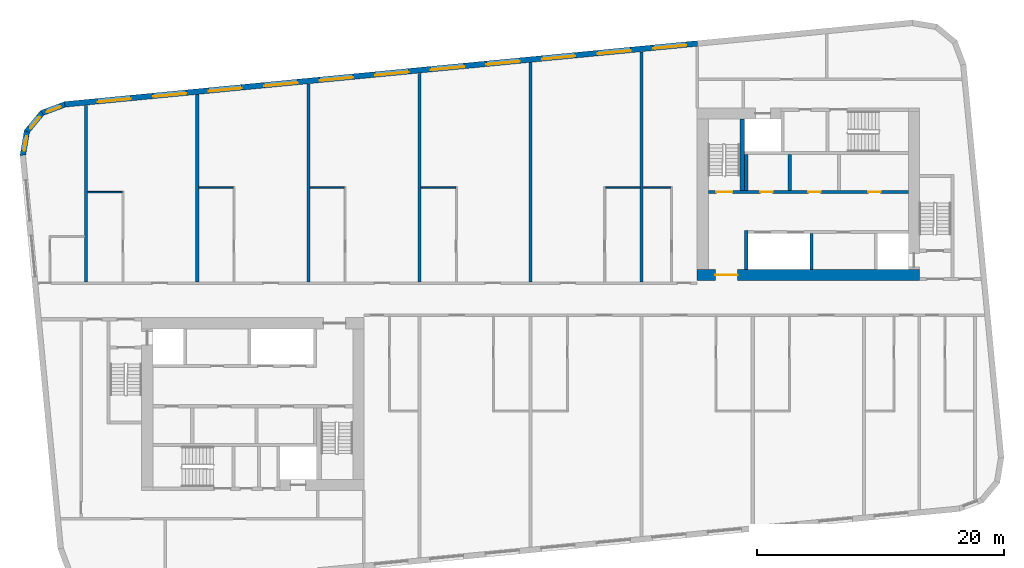
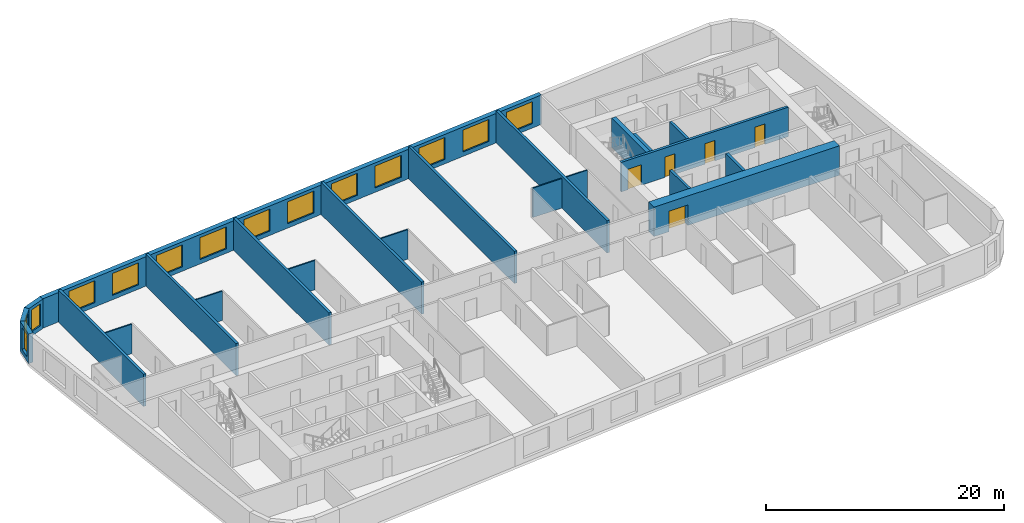
# One storey, part 5 of 11: 23 walls, 14 windows, 5 doors, 19 openings.
"""IFC4 building model written with IfcOpenShell, lengths in metres."""

from ifc_helpers import new_model, si_unit, direction, frame, frame_2d, origin, place, context, subcontext, project, spatial, polyline, rectangle, outline, extrude, material, layer, layer_set, type_object, element, fill, save


model = new_model("IFC4")

# Units and contexts
model_context = context("Model", 3, precision=1e-05, world=origin(), true_north=direction((0.0, 1.0)))
body_context = subcontext(model_context, "Body", "Model", "MODEL_VIEW")
ifc_project = project(units=[si_unit("LENGTHUNIT", "METRE"), si_unit("AREAUNIT", "SQUARE_METRE"), si_unit("VOLUMEUNIT", "CUBIC_METRE"), si_unit("PLANEANGLEUNIT", "RADIAN"), si_unit("MASSUNIT", "GRAM", prefix="KILO")], contexts=[model_context])

# Site, building, storey
site_placement = place(None, origin())
site = spatial("IfcSite", under=ifc_project, at=site_placement, CompositionType="ELEMENT")
building_placement = place(site_placement, origin())
building = spatial("IfcBuilding", under=site, at=building_placement, Name="Kajstack Hotel Tower", CompositionType="ELEMENT")
storey_placement = place(building_placement, frame((0.0, 0.0, 275.10009765625)))
storey = spatial("IfcBuildingStorey", under=building, at=storey_placement, Name="L68", CompositionType="ELEMENT", Elevation=275.10009765625)

# Wall, opening, door
ifc_material_1 = material(Name="Concrete C60/75", Category="concrete")
ifc_layer_1 = layer(ifc_material_1, 0.89990234375)
ifc_layer_set_1 = layer_set([ifc_layer_1], Name="Core wall 900")
wall_type_1 = type_object("IfcWallType", Name="Core wall 900", PredefinedType="SHEAR", material=ifc_layer_set_1)
wall_1_placement = place(storey_placement, frame((13.5, 1.949951171875, 0.0), z_axis=(0.0, 0.0, 1.0), x_axis=(1.0, 0.0, 0.0)))
wall_1 = element("IfcWall", 1, at=wall_1_placement, inside=storey, type_object=wall_type_1, Name="Core wall E RN", PredefinedType="SHEAR", context=body_context, shape_type="SweptSolid", body=[
    extrude(rectangle(XDim=18.0, YDim=0.89990234375, at=frame_2d((9.0, 0.0))), origin(), (0.0, 0.0, 1.0), 3.02001953125),
])
opening_1_placement = place(wall_1_placement, frame((1.47509765625, 0.0, 0.0)))
opening_1 = element("IfcOpeningElement", 2, at=opening_1_placement, cuts=wall_1, Name="Opening 68E05", PredefinedType="OPENING", context=body_context, shape_type="SweptSolid", body=[
    extrude(rectangle(XDim=1.800048828125, YDim=2.10009765625, at=frame_2d((0.89990234375, 1.050048828125))), frame((0.0, 0.4599609375, 0.0), z_axis=(0.0, -1.0, 0.0), x_axis=(1.0, 0.0, 0.0)), (0.0, 0.0, 1.0), 0.919921875),
])
ifc_material_2 = material(Name="Glazed steel frame, fire-rated glass", Category="steel")
door_type_1 = type_object("IfcDoorType", Name="Lobby double door 1800", OperationType="DOUBLE_DOOR_DOUBLE_SWING", PredefinedType="DOOR", material=ifc_material_2)
door_1_placement = place(opening_1_placement, origin())
door_1 = element("IfcDoor", 3, at=door_1_placement, inside=storey, type_object=door_type_1, Name="Door 68E05", OperationType="DOUBLE_DOOR_DOUBLE_SWING", OverallHeight=2.10009765625, OverallWidth=1.800048828125, PredefinedType="DOOR", context=body_context, shape_type="SweptSolid", body=[
    extrude(rectangle(XDim=1.800048828125, YDim=2.10009765625, at=frame_2d((0.89990234375, 1.050048828125))), frame((0.0, 0.02490234375, 0.0), z_axis=(0.0, -1.0, 0.0), x_axis=(1.0, 0.0, 0.0)), (0.0, 0.0, 1.0), 0.050048828125),
])
fill(opening_1, door_1)

# Wall, openings, windows
ifc_material_3 = material(Name="Terracotta-faced brick masonry", Category="masonry")
ifc_layer_2 = layer(ifc_material_3, 0.449951171875)
ifc_layer_set_2 = layer_set([ifc_layer_2], Name="EW-TERRA")
wall_type_2 = type_object("IfcWallType", Name="EW-TERRA", PredefinedType="SOLIDWALL", material=ifc_layer_set_2)
wall_2_placement = place(storey_placement, frame((13.521484375, 20.712890625, 0.0), z_axis=(0.0, 0.0, 1.0), x_axis=(-0.995396277313, -0.095844932638, 0.0)))
wall_2 = element("IfcWall", 4, at=wall_2_placement, inside=storey, type_object=wall_type_2, Name="E-wall-L68-12-01", PredefinedType="SOLIDWALL", context=body_context, shape_type="SweptSolid", body=[
    extrude(rectangle(XDim=51.4951171875, YDim=0.449951171875, at=frame_2d((25.74755859375, 0.0))), origin(), (0.0, 0.0, 1.0), 3.02001953125),
])
opening_2_placement = place(wall_2_placement, frame((0.910400390625, 0.0, 0.449951171875)))
opening_2 = element("IfcOpeningElement", 5, at=opening_2_placement, cuts=wall_2, Name="Opening W1", PredefinedType="OPENING", context=body_context, shape_type="SweptSolid", body=[
    extrude(rectangle(XDim=2.699951171875, YDim=2.25, at=frame_2d((1.35009765625, 1.125))), frame((0.0, 0.23486328125, 0.0), z_axis=(0.0, -1.0, 0.0), x_axis=(1.0, 0.0, 0.0)), (0.0, 0.0, 1.0), 0.469970703125),
])
opening_3_placement = place(wall_2_placement, frame((5.43115234375, 0.0, 0.449951171875)))
opening_3 = element("IfcOpeningElement", 6, at=opening_3_placement, cuts=wall_2, Name="Opening W1", PredefinedType="OPENING", context=body_context, shape_type="SweptSolid", body=[
    extrude(rectangle(XDim=2.699951171875, YDim=2.25, at=frame_2d((1.35009765625, 1.125))), frame((0.0, 0.23486328125, 0.0), z_axis=(0.0, -1.0, 0.0), x_axis=(1.0, 0.0, 0.0)), (0.0, 0.0, 1.0), 0.469970703125),
])
opening_4_placement = place(wall_2_placement, frame((9.951904296875, 0.0, 0.449951171875)))
opening_4 = element("IfcOpeningElement", 7, at=opening_4_placement, cuts=wall_2, Name="Opening W1", PredefinedType="OPENING", context=body_context, shape_type="SweptSolid", body=[
    extrude(rectangle(XDim=2.699951171875, YDim=2.25, at=frame_2d((1.35009765625, 1.125))), frame((0.0, 0.23486328125, 0.0), z_axis=(0.0, -1.0, 0.0), x_axis=(1.0, 0.0, 0.0)), (0.0, 0.0, 1.0), 0.469970703125),
])
opening_5_placement = place(wall_2_placement, frame((14.472900390625, 0.0, 0.449951171875)))
opening_5 = element("IfcOpeningElement", 8, at=opening_5_placement, cuts=wall_2, Name="Opening W1", PredefinedType="OPENING", context=body_context, shape_type="SweptSolid", body=[
    extrude(rectangle(XDim=2.699951171875, YDim=2.25, at=frame_2d((1.35009765625, 1.125))), frame((0.0, 0.23486328125, 0.0), z_axis=(0.0, -1.0, 0.0), x_axis=(1.0, 0.0, 0.0)), (0.0, 0.0, 1.0), 0.469970703125),
])
opening_6_placement = place(wall_2_placement, frame((18.99365234375, 0.0, 0.449951171875)))
opening_6 = element("IfcOpeningElement", 9, at=opening_6_placement, cuts=wall_2, Name="Opening W1", PredefinedType="OPENING", context=body_context, shape_type="SweptSolid", body=[
    extrude(rectangle(XDim=2.699951171875, YDim=2.25, at=frame_2d((1.35009765625, 1.125))), frame((0.0, 0.23486328125, 0.0), z_axis=(0.0, -1.0, 0.0), x_axis=(1.0, 0.0, 0.0)), (0.0, 0.0, 1.0), 0.469970703125),
])
opening_7_placement = place(wall_2_placement, frame((23.514404296875, 0.0, 0.449951171875)))
opening_7 = element("IfcOpeningElement", 10, at=opening_7_placement, cuts=wall_2, Name="Opening W1", PredefinedType="OPENING", context=body_context, shape_type="SweptSolid", body=[
    extrude(rectangle(XDim=2.699951171875, YDim=2.25, at=frame_2d((1.35009765625, 1.125))), frame((0.0, 0.23486328125, 0.0), z_axis=(0.0, -1.0, 0.0), x_axis=(1.0, 0.0, 0.0)), (0.0, 0.0, 1.0), 0.469970703125),
])
opening_8_placement = place(wall_2_placement, frame((28.035400390625, 0.0, 0.449951171875)))
opening_8 = element("IfcOpeningElement", 11, at=opening_8_placement, cuts=wall_2, Name="Opening W1", PredefinedType="OPENING", context=body_context, shape_type="SweptSolid", body=[
    extrude(rectangle(XDim=2.699951171875, YDim=2.25, at=frame_2d((1.35009765625, 1.125))), frame((0.0, 0.23486328125, 0.0), z_axis=(0.0, -1.0, 0.0), x_axis=(1.0, 0.0, 0.0)), (0.0, 0.0, 1.0), 0.469970703125),
])
opening_9_placement = place(wall_2_placement, frame((32.55615234375, 0.0, 0.449951171875)))
opening_9 = element("IfcOpeningElement", 12, at=opening_9_placement, cuts=wall_2, Name="Opening W1", PredefinedType="OPENING", context=body_context, shape_type="SweptSolid", body=[
    extrude(rectangle(XDim=2.699951171875, YDim=2.25, at=frame_2d((1.35009765625, 1.125))), frame((0.0, 0.23486328125, 0.0), z_axis=(0.0, -1.0, 0.0), x_axis=(1.0, 0.0, 0.0)), (0.0, 0.0, 1.0), 0.469970703125),
])
opening_10_placement = place(wall_2_placement, frame((37.076904296875, 0.0, 0.449951171875)))
opening_10 = element("IfcOpeningElement", 13, at=opening_10_placement, cuts=wall_2, Name="Opening W1", PredefinedType="OPENING", context=body_context, shape_type="SweptSolid", body=[
    extrude(rectangle(XDim=2.699951171875, YDim=2.25, at=frame_2d((1.35009765625, 1.125))), frame((0.0, 0.23486328125, 0.0), z_axis=(0.0, -1.0, 0.0), x_axis=(1.0, 0.0, 0.0)), (0.0, 0.0, 1.0), 0.469970703125),
])
opening_11_placement = place(wall_2_placement, frame((41.59765625, 0.0, 0.449951171875)))
opening_11 = element("IfcOpeningElement", 14, at=opening_11_placement, cuts=wall_2, Name="Opening W1", PredefinedType="OPENING", context=body_context, shape_type="SweptSolid", body=[
    extrude(rectangle(XDim=2.699951171875, YDim=2.25, at=frame_2d((1.35009765625, 1.125))), frame((0.0, 0.23486328125, 0.0), z_axis=(0.0, -1.0, 0.0), x_axis=(1.0, 0.0, 0.0)), (0.0, 0.0, 1.0), 0.469970703125),
])
opening_12_placement = place(wall_2_placement, frame((46.118408203125, 0.0, 0.449951171875)))
opening_12 = element("IfcOpeningElement", 15, at=opening_12_placement, cuts=wall_2, Name="Opening W1", PredefinedType="OPENING", context=body_context, shape_type="SweptSolid", body=[
    extrude(rectangle(XDim=2.699951171875, YDim=2.25, at=frame_2d((1.35009765625, 1.125))), frame((0.0, 0.23486328125, 0.0), z_axis=(0.0, -1.0, 0.0), x_axis=(1.0, 0.0, 0.0)), (0.0, 0.0, 1.0), 0.469970703125),
])
ifc_material_4 = material(Name="Timber-aluminium window, triple glazed", Category="wood")
window_type_1 = type_object("IfcWindowType", Name="WG1", PartitioningType="SINGLE_PANEL", PredefinedType="WINDOW", material=ifc_material_4)
window_1_placement = place(opening_2_placement, origin())
window_1 = element("IfcWindow", 16, at=window_1_placement, inside=storey, type_object=window_type_1, Name="Window W1 L68-12", OverallHeight=2.25, OverallWidth=2.699951171875, PartitioningType="SINGLE_PANEL", PredefinedType="WINDOW", context=body_context, shape_type="SweptSolid", body=[
    extrude(rectangle(XDim=2.699951171875, YDim=2.25, at=frame_2d((1.35009765625, 1.125))), frame((0.0, 0.090087890625, 0.0), z_axis=(0.0, -1.0, 0.0), x_axis=(1.0, 0.0, 0.0)), (0.0, 0.0, 1.0), 0.06005859375),
])
fill(opening_2, window_1)
window_2_placement = place(opening_3_placement, origin())
window_2 = element("IfcWindow", 17, at=window_2_placement, inside=storey, type_object=window_type_1, Name="Window W1 L68-12", OverallHeight=2.25, OverallWidth=2.699951171875, PartitioningType="SINGLE_PANEL", PredefinedType="WINDOW", context=body_context, shape_type="SweptSolid", body=[
    extrude(rectangle(XDim=2.699951171875, YDim=2.25, at=frame_2d((1.35009765625, 1.125))), frame((0.0, 0.090087890625, 0.0), z_axis=(0.0, -1.0, 0.0), x_axis=(1.0, 0.0, 0.0)), (0.0, 0.0, 1.0), 0.06005859375),
])
fill(opening_3, window_2)
window_3_placement = place(opening_4_placement, origin())
window_3 = element("IfcWindow", 18, at=window_3_placement, inside=storey, type_object=window_type_1, Name="Window W1 L68-12", OverallHeight=2.25, OverallWidth=2.699951171875, PartitioningType="SINGLE_PANEL", PredefinedType="WINDOW", context=body_context, shape_type="SweptSolid", body=[
    extrude(rectangle(XDim=2.699951171875, YDim=2.25, at=frame_2d((1.35009765625, 1.125))), frame((0.0, 0.090087890625, 0.0), z_axis=(0.0, -1.0, 0.0), x_axis=(1.0, 0.0, 0.0)), (0.0, 0.0, 1.0), 0.06005859375),
])
fill(opening_4, window_3)
window_4_placement = place(opening_5_placement, origin())
window_4 = element("IfcWindow", 19, at=window_4_placement, inside=storey, type_object=window_type_1, Name="Window W1 L68-12", OverallHeight=2.25, OverallWidth=2.699951171875, PartitioningType="SINGLE_PANEL", PredefinedType="WINDOW", context=body_context, shape_type="SweptSolid", body=[
    extrude(rectangle(XDim=2.699951171875, YDim=2.25, at=frame_2d((1.35009765625, 1.125))), frame((0.0, 0.090087890625, 0.0), z_axis=(0.0, -1.0, 0.0), x_axis=(1.0, 0.0, 0.0)), (0.0, 0.0, 1.0), 0.06005859375),
])
fill(opening_5, window_4)
window_5_placement = place(opening_6_placement, origin())
window_5 = element("IfcWindow", 20, at=window_5_placement, inside=storey, type_object=window_type_1, Name="Window W1 L68-12", OverallHeight=2.25, OverallWidth=2.699951171875, PartitioningType="SINGLE_PANEL", PredefinedType="WINDOW", context=body_context, shape_type="SweptSolid", body=[
    extrude(rectangle(XDim=2.699951171875, YDim=2.25, at=frame_2d((1.35009765625, 1.125))), frame((0.0, 0.090087890625, 0.0), z_axis=(0.0, -1.0, 0.0), x_axis=(1.0, 0.0, 0.0)), (0.0, 0.0, 1.0), 0.06005859375),
])
fill(opening_6, window_5)
window_6_placement = place(opening_7_placement, origin())
window_6 = element("IfcWindow", 21, at=window_6_placement, inside=storey, type_object=window_type_1, Name="Window W1 L68-12", OverallHeight=2.25, OverallWidth=2.699951171875, PartitioningType="SINGLE_PANEL", PredefinedType="WINDOW", context=body_context, shape_type="SweptSolid", body=[
    extrude(rectangle(XDim=2.699951171875, YDim=2.25, at=frame_2d((1.35009765625, 1.125))), frame((0.0, 0.090087890625, 0.0), z_axis=(0.0, -1.0, 0.0), x_axis=(1.0, 0.0, 0.0)), (0.0, 0.0, 1.0), 0.06005859375),
])
fill(opening_7, window_6)
window_7_placement = place(opening_8_placement, origin())
window_7 = element("IfcWindow", 22, at=window_7_placement, inside=storey, type_object=window_type_1, Name="Window W1 L68-12", OverallHeight=2.25, OverallWidth=2.699951171875, PartitioningType="SINGLE_PANEL", PredefinedType="WINDOW", context=body_context, shape_type="SweptSolid", body=[
    extrude(rectangle(XDim=2.699951171875, YDim=2.25, at=frame_2d((1.35009765625, 1.125))), frame((0.0, 0.090087890625, 0.0), z_axis=(0.0, -1.0, 0.0), x_axis=(1.0, 0.0, 0.0)), (0.0, 0.0, 1.0), 0.06005859375),
])
fill(opening_8, window_7)
window_8_placement = place(opening_9_placement, origin())
window_8 = element("IfcWindow", 23, at=window_8_placement, inside=storey, type_object=window_type_1, Name="Window W1 L68-12", OverallHeight=2.25, OverallWidth=2.699951171875, PartitioningType="SINGLE_PANEL", PredefinedType="WINDOW", context=body_context, shape_type="SweptSolid", body=[
    extrude(rectangle(XDim=2.699951171875, YDim=2.25, at=frame_2d((1.35009765625, 1.125))), frame((0.0, 0.090087890625, 0.0), z_axis=(0.0, -1.0, 0.0), x_axis=(1.0, 0.0, 0.0)), (0.0, 0.0, 1.0), 0.06005859375),
])
fill(opening_9, window_8)
window_9_placement = place(opening_10_placement, origin())
window_9 = element("IfcWindow", 24, at=window_9_placement, inside=storey, type_object=window_type_1, Name="Window W1 L68-12", OverallHeight=2.25, OverallWidth=2.699951171875, PartitioningType="SINGLE_PANEL", PredefinedType="WINDOW", context=body_context, shape_type="SweptSolid", body=[
    extrude(rectangle(XDim=2.699951171875, YDim=2.25, at=frame_2d((1.35009765625, 1.125))), frame((0.0, 0.090087890625, 0.0), z_axis=(0.0, -1.0, 0.0), x_axis=(1.0, 0.0, 0.0)), (0.0, 0.0, 1.0), 0.06005859375),
])
fill(opening_10, window_9)
window_10_placement = place(opening_11_placement, origin())
window_10 = element("IfcWindow", 25, at=window_10_placement, inside=storey, type_object=window_type_1, Name="Window W1 L68-12", OverallHeight=2.25, OverallWidth=2.699951171875, PartitioningType="SINGLE_PANEL", PredefinedType="WINDOW", context=body_context, shape_type="SweptSolid", body=[
    extrude(rectangle(XDim=2.699951171875, YDim=2.25, at=frame_2d((1.35009765625, 1.125))), frame((0.0, 0.090087890625, 0.0), z_axis=(0.0, -1.0, 0.0), x_axis=(1.0, 0.0, 0.0)), (0.0, 0.0, 1.0), 0.06005859375),
])
fill(opening_11, window_10)
window_11_placement = place(opening_12_placement, origin())
window_11 = element("IfcWindow", 26, at=window_11_placement, inside=storey, type_object=window_type_1, Name="Window W1 L68-12", OverallHeight=2.25, OverallWidth=2.699951171875, PartitioningType="SINGLE_PANEL", PredefinedType="WINDOW", context=body_context, shape_type="SweptSolid", body=[
    extrude(rectangle(XDim=2.699951171875, YDim=2.25, at=frame_2d((1.35009765625, 1.125))), frame((0.0, 0.090087890625, 0.0), z_axis=(0.0, -1.0, 0.0), x_axis=(1.0, 0.0, 0.0)), (0.0, 0.0, 1.0), 0.06005859375),
])
fill(opening_12, window_11)

# Wall, opening, window
wall_3_placement = place(storey_placement, frame((-37.67919921875, 15.79052734375, 0.0), z_axis=(0.0, 0.0, 1.0), x_axis=(-0.936677599948, -0.350192909346, 0.0)))
wall_3 = element("IfcWall", 27, at=wall_3_placement, inside=storey, type_object=wall_type_2, Name="E-wall-L68-13-00", PredefinedType="SOLIDWALL", context=body_context, shape_type="SweptSolid", body=[
    extrude(outline(polyline([(0.000244140625, -0.224853515625), (2.070556640625, -0.224853515625), (1.949951171875, 0.22509765625), (0.12060546875, 0.22509765625), (0.000244140625, -0.224853515625)])), origin(), (0.0, 0.0, 1.0), 3.02001953125),
])
opening_13_placement = place(wall_3_placement, frame((0.435302734375, 0.0, 0.449951171875)))
opening_13 = element("IfcOpeningElement", 28, at=opening_13_placement, cuts=wall_3, Name="Opening W3", PredefinedType="OPENING", context=body_context, shape_type="SweptSolid", body=[
    extrude(rectangle(XDim=1.199951171875, YDim=2.25, at=frame_2d((0.60009765625, 1.125))), frame((0.0, 0.23486328125, 0.0), z_axis=(0.0, -1.0, 0.0), x_axis=(1.0, 0.0, 0.0)), (0.0, 0.0, 1.0), 0.469970703125),
])
window_type_2 = type_object("IfcWindowType", Name="WG3", PartitioningType="SINGLE_PANEL", PredefinedType="WINDOW", material=ifc_material_4)
window_12_placement = place(opening_13_placement, origin())
window_12 = element("IfcWindow", 29, at=window_12_placement, inside=storey, type_object=window_type_2, Name="Window W3 L68-13", OverallHeight=2.25, OverallWidth=1.199951171875, PartitioningType="SINGLE_PANEL", PredefinedType="WINDOW", context=body_context, shape_type="SweptSolid", body=[
    extrude(rectangle(XDim=1.199951171875, YDim=2.25, at=frame_2d((0.60009765625, 1.125))), frame((0.0, 0.090087890625, 0.0), z_axis=(0.0, -1.0, 0.0), x_axis=(1.0, 0.0, 0.0)), (0.0, 0.0, 1.0), 0.06005859375),
])
fill(opening_13, window_12)

wall_4_placement = place(storey_placement, frame((-39.52392578125, 15.133056640625, 0.0), z_axis=(0.0, 0.0, 1.0), x_axis=(-0.636046112757, -0.771651049663, 0.0)))
wall_4 = element("IfcWall", 30, at=wall_4_placement, inside=storey, type_object=wall_type_2, Name="E-wall-L68-14-00", PredefinedType="SOLIDWALL", context=body_context, shape_type="SweptSolid", body=[
    extrude(outline(polyline([(0.0, -0.224853515625), (2.070556640625, -0.224853515625), (1.949951171875, 0.22509765625), (0.12060546875, 0.22509765625), (0.0, -0.224853515625)])), origin(), (0.0, 0.0, 1.0), 3.02001953125),
])
opening_14_placement = place(wall_4_placement, frame((0.435302734375, 0.0, 0.449951171875)))
opening_14 = element("IfcOpeningElement", 31, at=opening_14_placement, cuts=wall_4, Name="Opening W3", PredefinedType="OPENING", context=body_context, shape_type="SweptSolid", body=[
    extrude(rectangle(XDim=1.199951171875, YDim=2.25, at=frame_2d((0.60009765625, 1.125))), frame((0.0, 0.23486328125, 0.0), z_axis=(0.0, -1.0, 0.0), x_axis=(1.0, 0.0, 0.0)), (0.0, 0.0, 1.0), 0.469970703125),
])
window_13_placement = place(opening_14_placement, origin())
window_13 = element("IfcWindow", 32, at=window_13_placement, inside=storey, type_object=window_type_2, Name="Window W3 L68-14", OverallHeight=2.25, OverallWidth=1.199951171875, PartitioningType="SINGLE_PANEL", PredefinedType="WINDOW", context=body_context, shape_type="SweptSolid", body=[
    extrude(rectangle(XDim=1.199951171875, YDim=2.25, at=frame_2d((0.60009765625, 1.125))), frame((0.0, 0.090087890625, 0.0), z_axis=(0.0, -1.0, 0.0), x_axis=(1.0, 0.0, 0.0)), (0.0, 0.0, 1.0), 0.06005859375),
])
fill(opening_14, window_13)

wall_5_placement = place(storey_placement, frame((-40.79248046875, 13.641357421875, 0.0), z_axis=(0.0, 0.0, 1.0), x_axis=(-0.165068144653, -0.986282164302, 0.0)))
wall_5 = element("IfcWall", 33, at=wall_5_placement, inside=storey, type_object=wall_type_2, Name="E-wall-L68-15-00", PredefinedType="SOLIDWALL", context=body_context, shape_type="SweptSolid", body=[
    extrude(outline(polyline([(0.0, -0.22509765625), (2.070556640625, -0.22509765625), (1.949951171875, 0.224853515625), (0.12060546875, 0.224853515625), (0.0, -0.22509765625)])), origin(), (0.0, 0.0, 1.0), 3.02001953125),
])
opening_15_placement = place(wall_5_placement, frame((0.435302734375, 0.0, 0.449951171875)))
opening_15 = element("IfcOpeningElement", 34, at=opening_15_placement, cuts=wall_5, Name="Opening W3", PredefinedType="OPENING", context=body_context, shape_type="SweptSolid", body=[
    extrude(rectangle(XDim=1.199951171875, YDim=2.25, at=frame_2d((0.60009765625, 1.125))), frame((0.0, 0.23486328125, 0.0), z_axis=(0.0, -1.0, 0.0), x_axis=(1.0, 0.0, 0.0)), (0.0, 0.0, 1.0), 0.469970703125),
])
window_14_placement = place(opening_15_placement, origin())
window_14 = element("IfcWindow", 35, at=window_14_placement, inside=storey, type_object=window_type_2, Name="Window W3 L68-15", OverallHeight=2.25, OverallWidth=1.199951171875, PartitioningType="SINGLE_PANEL", PredefinedType="WINDOW", context=body_context, shape_type="SweptSolid", body=[
    extrude(rectangle(XDim=1.199951171875, YDim=2.25, at=frame_2d((0.60009765625, 1.125))), frame((0.0, 0.090087890625, 0.0), z_axis=(0.0, -1.0, 0.0), x_axis=(1.0, 0.0, 0.0)), (0.0, 0.0, 1.0), 0.06005859375),
])
fill(opening_15, window_14)

# Walls
ifc_material_5 = material(Name="Gypsum board and tiled backer on steel studs", Category="steel")
ifc_layer_3 = layer(ifc_material_5, 0.125)
ifc_layer_set_3 = layer_set([ifc_layer_3], Name="En-suite wall 125")
wall_type_3 = type_object("IfcWallType", Name="En-suite wall 125", PredefinedType="PARTITIONING", material=ifc_layer_set_3)
for number, where, z_axis, x_axis, name in (
    (36, (-35.875, 8.66796875, 0.0), (0.0, 0.0, 1.0), (1.0, 0.0, 0.0), "G-wall-L68-007"),
    (37, (-26.875, 9.06201171875, 0.0), (0.0, 0.0, 1.0), (1.0, 0.0, 0.0), "G-wall-L68-009"),
    (38, (-17.875, 9.06201171875, 0.0), (0.0, 0.0, 1.0), (1.0, 0.0, 0.0), "G-wall-L68-011"),
    (39, (-8.875, 9.06201171875, 0.0), (0.0, 0.0, 1.0), (1.0, 0.0, 0.0), "G-wall-L68-013"),
    (40, (6.074951171875, 9.06201171875, 0.0), (0.0, 0.0, 1.0), (1.0, 0.0, 0.0), "G-wall-L68-015"),
):
    element("IfcWall", number, at=place(storey_placement, frame(where, z_axis=z_axis, x_axis=x_axis)), inside=storey, type_object=wall_type_3, Name=name, PredefinedType="PARTITIONING", context=body_context, shape_type="SweptSolid", body=[
        extrude(rectangle(XDim=2.800048828125, YDim=0.125, at=frame_2d((1.39990234375, 0.0))), origin(), (0.0, 0.0, 1.0), 3.02001953125),
    ])
wall_6_placement = place(storey_placement, frame((9.125, 9.06201171875, 0.0), z_axis=(0.0, 0.0, 1.0), x_axis=(1.0, 0.0, 0.0)))
element("IfcWall", 41, at=wall_6_placement, inside=storey, type_object=wall_type_3, Name="G-wall-L68-017", PredefinedType="PARTITIONING", context=body_context, shape_type="SweptSolid", body=[
    extrude(rectangle(XDim=2.25, YDim=0.125, at=frame_2d((1.125, 0.0))), origin(), (0.0, 0.0, 1.0), 3.02001953125),
])
ifc_material_6 = material(Name="Concrete C50/60", Category="concrete")
ifc_layer_4 = layer(ifc_material_6, 0.300048828125)
ifc_layer_set_4 = layer_set([ifc_layer_4], Name="Hoistway divider wall 300")
wall_type_4 = type_object("IfcWallType", Name="Hoistway divider wall 300", PredefinedType="SHEAR", material=ifc_layer_set_4)
wall_7_placement = place(storey_placement, frame((22.77490234375, 2.39990234375, 0.0), z_axis=(0.0, 0.0, 1.0), x_axis=(0.0, 1.0, 0.0)))
element("IfcWall", 42, at=wall_7_placement, inside=storey, type_object=wall_type_4, Name="Core wall E AP2", PredefinedType="SHEAR", context=body_context, shape_type="SweptSolid", body=[
    extrude(rectangle(XDim=2.900146484375, YDim=0.25, at=frame_2d((1.4501953125, 0.0))), origin(), (0.0, 0.0, 1.0), 3.02001953125),
])
ifc_material_7 = material(Name="Concrete C40/50", Category="concrete")
ifc_layer_5 = layer(ifc_material_7, 0.25)
ifc_layer_set_5 = layer_set([ifc_layer_5], Name="RC cross wall 250 C40/50")
wall_type_5 = type_object("IfcWallType", Name="RC cross wall 250 C40/50", PredefinedType="SHEAR", material=ifc_layer_set_5)
wall_8_placement = place(storey_placement, frame((-36.0, 1.39990234375, 0.0), z_axis=(0.0, 0.0, 1.0), x_axis=(0.0, 1.0, 0.0)))
element("IfcWall", 43, at=wall_8_placement, inside=storey, type_object=wall_type_5, Name="S-wall-L68-01", PredefinedType="SHEAR", context=body_context, shape_type="SweptSolid", body=[
    extrude(rectangle(XDim=14.29638671875, YDim=0.25, at=frame_2d((7.148193359375, 0.0))), origin(), (0.0, 0.0, 1.0), 3.2998046875),
])
wall_9_placement = place(storey_placement, frame((-27.0, 1.39990234375, 0.0), z_axis=(0.0, 0.0, 1.0), x_axis=(0.0, 1.0, 0.0)))
element("IfcWall", 44, at=wall_9_placement, inside=storey, type_object=wall_type_5, Name="S-wall-L68-02", PredefinedType="SHEAR", context=body_context, shape_type="SweptSolid", body=[
    extrude(rectangle(XDim=15.1630859375, YDim=0.25, at=frame_2d((7.58154296875, 0.0))), origin(), (0.0, 0.0, 1.0), 3.2998046875),
])
wall_10_placement = place(storey_placement, frame((-18.0, 1.39990234375, 0.0), z_axis=(0.0, 0.0, 1.0), x_axis=(0.0, 1.0, 0.0)))
element("IfcWall", 45, at=wall_10_placement, inside=storey, type_object=wall_type_5, Name="S-wall-L68-03", PredefinedType="SHEAR", context=body_context, shape_type="SweptSolid", body=[
    extrude(rectangle(XDim=16.029541015625, YDim=0.25, at=frame_2d((8.0146484375, 0.0))), origin(), (0.0, 0.0, 1.0), 3.2998046875),
])
wall_11_placement = place(storey_placement, frame((-9.0, 1.39990234375, 0.0), z_axis=(0.0, 0.0, 1.0), x_axis=(0.0, 1.0, 0.0)))
element("IfcWall", 46, at=wall_11_placement, inside=storey, type_object=wall_type_5, Name="S-wall-L68-05", PredefinedType="SHEAR", context=body_context, shape_type="SweptSolid", body=[
    extrude(rectangle(XDim=16.896240234375, YDim=0.25, at=frame_2d((8.4482421875, 0.0))), origin(), (0.0, 0.0, 1.0), 3.2998046875),
])
wall_12_placement = place(storey_placement, frame((0.0, 1.39990234375, 0.0), z_axis=(0.0, 0.0, 1.0), x_axis=(0.0, 1.0, 0.0)))
element("IfcWall", 47, at=wall_12_placement, inside=storey, type_object=wall_type_5, Name="S-wall-L68-07", PredefinedType="SHEAR", context=body_context, shape_type="SweptSolid", body=[
    extrude(rectangle(XDim=17.7626953125, YDim=0.25, at=frame_2d((8.88134765625, 0.0))), origin(), (0.0, 0.0, 1.0), 3.2998046875),
])
wall_13_placement = place(storey_placement, frame((9.0, 1.39990234375, 0.0), z_axis=(0.0, 0.0, 1.0), x_axis=(0.0, 1.0, 0.0)))
element("IfcWall", 48, at=wall_13_placement, inside=storey, type_object=wall_type_5, Name="S-wall-L68-09", PredefinedType="SHEAR", context=body_context, shape_type="SweptSolid", body=[
    extrude(rectangle(XDim=18.62939453125, YDim=0.25, at=frame_2d((9.314697265625, 0.0))), origin(), (0.0, 0.0, 1.0), 3.2998046875),
])
ifc_material_8 = material(Name="Concrete block masonry", Category="masonry")
ifc_layer_6 = layer(ifc_material_8, 0.25)
ifc_layer_set_6 = layer_set([ifc_layer_6], Name="Riser partition 250")
wall_type_6 = type_object("IfcWallType", Name="Riser partition 250", PredefinedType="PARTITIONING", material=ifc_layer_set_6)
wall_14_placement = place(storey_placement, frame((21.0, 8.800048828125, 0.0), z_axis=(0.0, 0.0, 1.0), x_axis=(0.0, 1.0, 0.0)))
element("IfcWall", 49, at=wall_14_placement, inside=storey, type_object=wall_type_6, Name="Partition E BF1", PredefinedType="PARTITIONING", context=body_context, shape_type="SweptSolid", body=[
    extrude(rectangle(XDim=2.89990234375, YDim=0.25, at=frame_2d((1.449951171875, 0.0))), origin(), (0.0, 0.0, 1.0), 3.02001953125),
])
ifc_layer_7 = layer(ifc_material_6, 0.25)
ifc_layer_set_7 = layer_set([ifc_layer_7], Name="Shaft wall 250")
wall_type_7 = type_object("IfcWallType", Name="Shaft wall 250", PredefinedType="SHEAR", material=ifc_layer_set_7)
wall_15_placement = place(storey_placement, frame((17.47509765625, 2.39990234375, 0.0), z_axis=(0.0, 0.0, 1.0), x_axis=(0.0, 1.0, 0.0)))
element("IfcWall", 50, at=wall_15_placement, inside=storey, type_object=wall_type_7, Name="Core wall E AE", PredefinedType="SHEAR", context=body_context, shape_type="SweptSolid", body=[
    extrude(rectangle(XDim=3.150146484375, YDim=0.25, at=frame_2d((1.5751953125, 0.0))), origin(), (0.0, 0.0, 1.0), 3.02001953125),
])

# Wall, openings, doors
wall_16_placement = place(storey_placement, frame((14.39990234375, 8.675048828125, 0.0), z_axis=(0.0, 0.0, 1.0), x_axis=(1.0, 0.0, 0.0)))
wall_16 = element("IfcWall", 51, at=wall_16_placement, inside=storey, type_object=wall_type_7, Name="Core wall E FB", PredefinedType="SHEAR", context=body_context, shape_type="SweptSolid", body=[
    extrude(rectangle(XDim=16.2001953125, YDim=0.25, at=frame_2d((8.10009765625, 0.0))), origin(), (0.0, 0.0, 1.0), 3.02001953125),
])
opening_16_placement = place(wall_16_placement, frame((0.64990234375, 0.0, 0.0)))
opening_16 = element("IfcOpeningElement", 52, at=opening_16_placement, cuts=wall_16, Name="Opening 68E09", PredefinedType="OPENING", context=body_context, shape_type="SweptSolid", body=[
    extrude(rectangle(XDim=1.300048828125, YDim=2.10009765625, at=frame_2d((0.64990234375, 1.050048828125))), frame((0.0, 0.135009765625, 0.0), z_axis=(0.0, -1.0, 0.0), x_axis=(1.0, 0.0, 0.0)), (0.0, 0.0, 1.0), 0.27001953125),
])
opening_17_placement = place(wall_16_placement, frame((12.96240234375, 0.0, 0.0)))
opening_17 = element("IfcOpeningElement", 53, at=opening_17_placement, cuts=wall_16, Name="Opening 68E12", PredefinedType="OPENING", context=body_context, shape_type="SweptSolid", body=[
    extrude(rectangle(XDim=1.0, YDim=2.10009765625, at=frame_2d((0.5, 1.050048828125))), frame((0.0, 0.135009765625, 0.0), z_axis=(0.0, -1.0, 0.0), x_axis=(1.0, 0.0, 0.0)), (0.0, 0.0, 1.0), 0.27001953125),
])
opening_18_placement = place(wall_16_placement, frame((8.10009765625, 0.0, 0.0)))
opening_18 = element("IfcOpeningElement", 54, at=opening_18_placement, cuts=wall_16, Name="Opening 68E13", PredefinedType="OPENING", context=body_context, shape_type="SweptSolid", body=[
    extrude(rectangle(XDim=1.0, YDim=2.10009765625, at=frame_2d((0.5, 1.050048828125))), frame((0.0, 0.135009765625, 0.0), z_axis=(0.0, -1.0, 0.0), x_axis=(1.0, 0.0, 0.0)), (0.0, 0.0, 1.0), 0.27001953125),
])
opening_19_placement = place(wall_16_placement, frame((4.21240234375, 0.0, 0.0)))
opening_19 = element("IfcOpeningElement", 55, at=opening_19_placement, cuts=wall_16, Name="Opening 68E14", PredefinedType="OPENING", context=body_context, shape_type="SweptSolid", body=[
    extrude(rectangle(XDim=1.0, YDim=2.10009765625, at=frame_2d((0.5, 1.050048828125))), frame((0.0, 0.135009765625, 0.0), z_axis=(0.0, -1.0, 0.0), x_axis=(1.0, 0.0, 0.0)), (0.0, 0.0, 1.0), 0.27001953125),
])
ifc_material_9 = material(Name="Timber leaf, fire-rated", Category="wood")
door_type_2 = type_object("IfcDoorType", Name="Service room door 1000", OperationType="SINGLE_SWING_LEFT", PredefinedType="DOOR", material=ifc_material_9)
door_2_placement = place(opening_17_placement, origin())
door_2 = element("IfcDoor", 56, at=door_2_placement, inside=storey, type_object=door_type_2, Name="Door 68E12", OperationType="SINGLE_SWING_LEFT", OverallHeight=2.10009765625, OverallWidth=1.0, PredefinedType="DOOR", context=body_context, shape_type="SweptSolid", body=[
    extrude(rectangle(XDim=1.0, YDim=2.10009765625, at=frame_2d((0.5, 1.050048828125))), frame((0.0, 0.02490234375, 0.0), z_axis=(0.0, -1.0, 0.0), x_axis=(1.0, 0.0, 0.0)), (0.0, 0.0, 1.0), 0.050048828125),
])
fill(opening_17, door_2)
door_3_placement = place(opening_18_placement, origin())
door_3 = element("IfcDoor", 57, at=door_3_placement, inside=storey, type_object=door_type_2, Name="Door 68E13", OperationType="SINGLE_SWING_LEFT", OverallHeight=2.10009765625, OverallWidth=1.0, PredefinedType="DOOR", context=body_context, shape_type="SweptSolid", body=[
    extrude(rectangle(XDim=1.0, YDim=2.10009765625, at=frame_2d((0.5, 1.050048828125))), frame((0.0, 0.02490234375, 0.0), z_axis=(0.0, -1.0, 0.0), x_axis=(1.0, 0.0, 0.0)), (0.0, 0.0, 1.0), 0.050048828125),
])
fill(opening_18, door_3)
door_4_placement = place(opening_19_placement, origin())
door_4 = element("IfcDoor", 58, at=door_4_placement, inside=storey, type_object=door_type_2, Name="Door 68E14", OperationType="SINGLE_SWING_LEFT", OverallHeight=2.10009765625, OverallWidth=1.0, PredefinedType="DOOR", context=body_context, shape_type="SweptSolid", body=[
    extrude(rectangle(XDim=1.0, YDim=2.10009765625, at=frame_2d((0.5, 1.050048828125))), frame((0.0, 0.02490234375, 0.0), z_axis=(0.0, -1.0, 0.0), x_axis=(1.0, 0.0, 0.0)), (0.0, 0.0, 1.0), 0.050048828125),
])
fill(opening_19, door_4)
ifc_material_10 = material(Name="Steel leaf, fire-rated", Category="steel")
door_type_3 = type_object("IfcDoorType", Name="Stair door 1300", OperationType="SINGLE_SWING_LEFT", PredefinedType="DOOR", material=ifc_material_10)
door_5_placement = place(opening_16_placement, origin())
door_5 = element("IfcDoor", 59, at=door_5_placement, inside=storey, type_object=door_type_3, Name="Door 68E09", OperationType="SINGLE_SWING_LEFT", OverallHeight=2.10009765625, OverallWidth=1.300048828125, PredefinedType="DOOR", context=body_context, shape_type="SweptSolid", body=[
    extrude(rectangle(XDim=1.300048828125, YDim=2.10009765625, at=frame_2d((0.64990234375, 1.050048828125))), frame((0.0, 0.02490234375, 0.0), z_axis=(0.0, -1.0, 0.0), x_axis=(1.0, 0.0, 0.0)), (0.0, 0.0, 1.0), 0.050048828125),
])
fill(opening_16, door_5)

# Walls
wall_17_placement = place(storey_placement, frame((17.47509765625, 8.800048828125, 0.0), z_axis=(0.0, 0.0, 1.0), x_axis=(0.0, 1.0, 0.0)))
element("IfcWall", 60, at=wall_17_placement, inside=storey, type_object=wall_type_7, Name="Core wall E BE", PredefinedType="SHEAR", context=body_context, shape_type="SweptSolid", body=[
    extrude(rectangle(XDim=2.89990234375, YDim=0.25, at=frame_2d((1.449951171875, 0.0))), origin(), (0.0, 0.0, 1.0), 3.02001953125),
])
ifc_layer_8 = layer(ifc_material_6, 0.39990234375)
ifc_layer_set_8 = layer_set([ifc_layer_8], Name="Stair wall 400")
wall_type_8 = type_object("IfcWallType", Name="Stair wall 400", PredefinedType="SHEAR", material=ifc_layer_set_8)
wall_18_placement = place(storey_placement, frame((17.14990234375, 8.800048828125, 0.0), z_axis=(0.0, 0.0, 1.0), x_axis=(0.0, 1.0, 0.0)))
element("IfcWall", 61, at=wall_18_placement, inside=storey, type_object=wall_type_8, Name="Core wall E WW2", PredefinedType="SHEAR", context=body_context, shape_type="SweptSolid", body=[
    extrude(rectangle(XDim=5.800048828125, YDim=0.39990234375, at=frame_2d((2.89990234375, 0.0))), origin(), (0.0, 0.0, 1.0), 3.02001953125),
])

save(model, "model.ifc")
